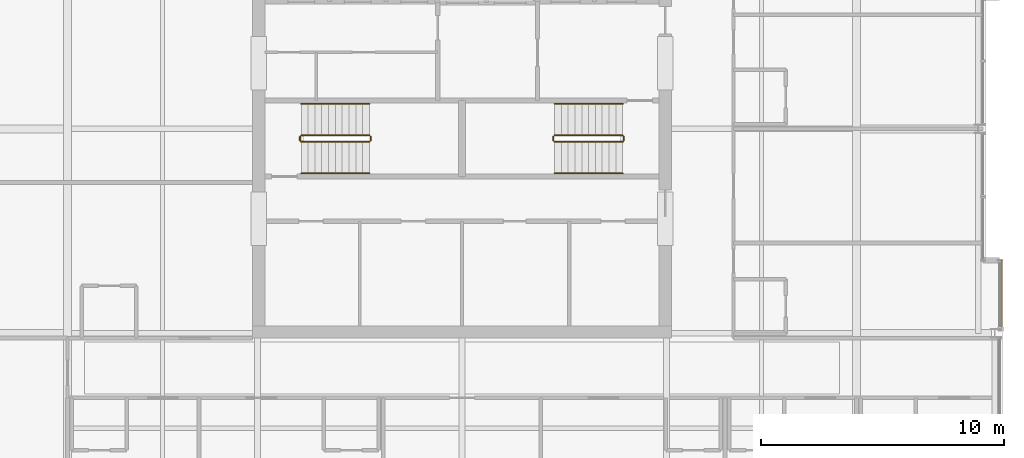
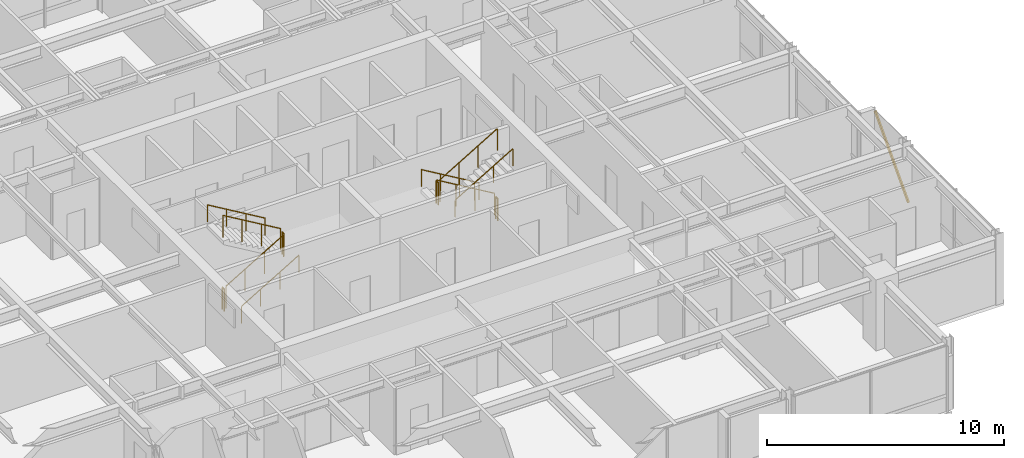
# One storey, part 32 of 33: 12 railings, 1 shading device.
"""IFC4 building model written with IfcOpenShell, lengths in metres."""

import ifcopenshell
import ifcopenshell.guid

model = None  # the IFC model being written
_history = None  # IfcOwnerHistory: only IFC2X3 demands one
_inside = {}  # id of a spatial element -> (the spatial element, [elements in it])
_under = {}  # id of a project, library or spatial element -> (it, [spatial elements below it])
_declared = {}  # id of a project -> (the project, [libraries it declares])
_typed = {}  # id of a type object -> (the type object, [elements of that type])
_made_of = {}  # id of a material, layer set ... -> (it, [elements and type objects made of it])


def new_model(schema):
    """Start an empty IFC model of exactly this schema.

    Asked for "IFC4X3", IfcOpenShell would pick the latest addendum, in which some entities
    have other attributes; the version numbers below select the first issue.
    IFC2X3 requires an IfcOwnerHistory on every rooted entity: one is made here for all.
    """
    global model, _history
    if schema == "IFC4X3":
        model = ifcopenshell.file(schema_version=(4, 3, 0, 0))
    else:
        model = ifcopenshell.file(schema=schema)
    _inside.clear()
    _under.clear()
    _declared.clear()
    _typed.clear()
    _made_of.clear()
    _history = None
    if model.schema == "IFC2X3":
        org = make("IfcOrganization", Name="unknown")
        user = make(
            "IfcPersonAndOrganization",
            ThePerson=make("IfcPerson", FamilyName="unknown"),
            TheOrganization=org,
        )
        app = make(
            "IfcApplication",
            ApplicationDeveloper=org,
            Version="unknown",
            ApplicationFullName="unknown",
            ApplicationIdentifier="unknown",
        )
        _history = make(
            "IfcOwnerHistory",
            OwningUser=user,
            OwningApplication=app,
            ChangeAction="ADDED",
            CreationDate=0,
        )
    return model


def make(cls, **values):
    """One entity of the class cls with the attributes given. An attribute that is None is left unset."""
    return model.create_entity(
        cls, **{name: value for name, value in values.items() if value is not None}
    )


def rooted(cls, **values):
    """An entity with a GlobalId (a new one), such as an element, a storey or a relation."""
    return make(cls, GlobalId=ifcopenshell.guid.new(), OwnerHistory=_history, **values)


def si_unit(unit_type, name, prefix=None):
    """IfcSIUnit, for example si_unit("LENGTHUNIT", "METRE", prefix="MILLI")."""
    return make("IfcSIUnit", UnitType=unit_type, Prefix=prefix, Name=name)


def assignment(units):
    """IfcUnitAssignment: the units of a project."""
    return None if units is None else make("IfcUnitAssignment", Units=units)


def point(xyz):
    """IfcCartesianPoint."""
    return None if xyz is None else make("IfcCartesianPoint", Coordinates=xyz)


def direction(xyz):
    """IfcDirection."""
    return None if xyz is None else make("IfcDirection", DirectionRatios=xyz)


def frame(location, z_axis=None, x_axis=None):
    """IfcAxis2Placement3D, a coordinate frame: its origin and axes. An axis left out is left unset."""
    return make(
        "IfcAxis2Placement3D",
        Location=point(location),
        Axis=direction(z_axis),
        RefDirection=direction(x_axis),
    )


def frame_2d(location, x_axis=None):
    """IfcAxis2Placement2D, a coordinate frame in the plane: its origin and x axis."""
    return make(
        "IfcAxis2Placement2D", Location=point(location), RefDirection=direction(x_axis)
    )


def origin():
    """The frame at (0, 0, 0) with its axes left unset."""
    return frame((0.0, 0.0, 0.0))


def origin_2d():
    """The frame at (0, 0) in the plane with its x axis left unset."""
    return frame_2d((0.0, 0.0))


def place(relative_to, where):
    """IfcLocalPlacement: puts the frame where relative to a parent placement (None: the world)."""
    return make(
        "IfcLocalPlacement", PlacementRelTo=relative_to, RelativePlacement=where
    )


def context(
    kind, dimensions, precision=None, world=None, true_north=None, identifier=None
):
    """IfcGeometricRepresentationContext, for example the 3D "Model" context."""
    return make(
        "IfcGeometricRepresentationContext",
        ContextIdentifier=identifier,
        ContextType=kind,
        CoordinateSpaceDimension=dimensions,
        Precision=precision,
        WorldCoordinateSystem=world,
        TrueNorth=true_north,
    )


def subcontext(parent, identifier, kind, view, scale=None):
    """IfcGeometricRepresentationSubContext, for example "Body" below "Model"."""
    return make(
        "IfcGeometricRepresentationSubContext",
        ContextIdentifier=identifier,
        ContextType=kind,
        ParentContext=parent,
        TargetScale=scale,
        TargetView=view,
    )


def project(units=None, contexts=None):
    """IfcProject with its units and contexts."""
    return rooted(
        "IfcProject",
        Name="project",
        RepresentationContexts=contexts,
        UnitsInContext=assignment(units),
    )


def spatial(cls, under=None, at=None, **own):
    """A site, building, storey or space (cls), placed at a placement, below another one or the project."""
    s = rooted(cls, ObjectPlacement=at, **own)
    if under is not None:
        _under.setdefault(under.id(), (under, []))[1].append(s)
    return s


def profile(cls, at=None, kind="AREA", **sizes):
    """A parametric profile (cls). Its sizes go by their IFC names, for example OverallWidth=200.0."""
    return make(cls, ProfileType=kind, Position=at, **sizes)


def hollow_rectangle(**sizes):
    """IfcRectangleHollowProfileDef."""
    return profile("IfcRectangleHollowProfileDef", **sizes)


def circle(**sizes):
    """IfcCircleProfileDef."""
    return profile("IfcCircleProfileDef", **sizes)


def extrude(swept, where, along, depth):
    """IfcExtrudedAreaSolid: the profile swept, set in the frame where, extruded along a direction by depth."""
    return make(
        "IfcExtrudedAreaSolid",
        SweptArea=swept,
        Position=where,
        ExtrudedDirection=direction(along),
        Depth=depth,
    )


def shape(context_of_items, identifier, shape_type, items):
    """IfcShapeRepresentation: the items that make up one representation, for example the "Body"."""
    return make(
        "IfcShapeRepresentation",
        ContextOfItems=context_of_items,
        RepresentationIdentifier=identifier,
        RepresentationType=shape_type,
        Items=items,
    )


def material(Name=None, Category=None):
    """IfcMaterial."""
    return make("IfcMaterial", Name=Name, Category=Category)


def material_profile(
    of_material, cross_section, Name=None, Category=None, Priority=None
):
    """IfcMaterialProfile: a cross section and its material."""
    return make(
        "IfcMaterialProfile",
        Name=Name,
        Material=of_material,
        Profile=cross_section,
        Priority=Priority,
        Category=Category,
    )


def profile_set(profiles, Name=None, composite=None):
    """IfcMaterialProfileSet."""
    return make(
        "IfcMaterialProfileSet",
        Name=Name,
        MaterialProfiles=profiles,
        CompositeProfile=composite,
    )


def made_of(thing, what):
    """Note that an element or type object is made of a material, layer set ...; save() writes the relation."""
    if what is not None:
        _made_of.setdefault(what.id(), (what, []))[1].append(thing)
    return thing


def type_object(cls, material=None, **own):
    """A type object (cls), such as IfcWallType, which elements share."""
    return made_of(rooted(cls, **own), material)


def element(
    cls,
    number,
    at=None,
    inside=None,
    cuts=None,
    type_object=None,
    material=None,
    context=None,
    identifier="Body",
    shape_type=None,
    held_by="IfcProductDefinitionShape",
    body=None,
    shapes=None,
    **own,
):
    """One element of the class cls, such as IfcWall. Its Tag is "e" and its number.

    at: its placement. inside: the storey or other place that contains it. cuts: it is an
    opening in that element (IfcRelVoidsElement). A single representation is given by context,
    identifier, shape_type and body (its items); several are given by shapes. held_by: the class
    of the entity that holds the representations. save() writes the other relations.
    """
    e = rooted(cls, Tag="e%d" % number, ObjectPlacement=at, **own)
    if body is not None:
        shapes = [shape(context, identifier, shape_type, body)]
    if shapes is not None:
        e.Representation = make(held_by, Representations=shapes)
    if inside is not None:
        _inside.setdefault(inside.id(), (inside, []))[1].append(e)
    if cuts is not None:
        rooted(
            "IfcRelVoidsElement", RelatingBuildingElement=cuts, RelatedOpeningElement=e
        )
    if type_object is not None:
        _typed.setdefault(type_object.id(), (type_object, []))[1].append(e)
    return made_of(e, material)


def aggregate(whole, parts):
    """IfcRelAggregates: a whole, such as a stair, and the parts it consists of."""
    return rooted("IfcRelAggregates", RelatingObject=whole, RelatedObjects=parts)


def save(model, path):
    """Write the relations noted so far, then the file.

    IfcRelAggregates (storeys below a building ...), IfcRelContainedInSpatialStructure (elements
    in a storey), IfcRelDefinesByType, IfcRelAssociatesMaterial and IfcRelDeclares: one each for
    every whole, place, type object, material and project.
    """
    for whole, parts in _under.values():
        aggregate(whole, parts)
    for where, things in _inside.values():
        rooted(
            "IfcRelContainedInSpatialStructure",
            RelatedElements=things,
            RelatingStructure=where,
        )
    for kind, things in _typed.values():
        rooted("IfcRelDefinesByType", RelatedObjects=things, RelatingType=kind)
    for what, things in _made_of.values():
        rooted("IfcRelAssociatesMaterial", RelatedObjects=things, RelatingMaterial=what)
    for by, libraries in _declared.values():
        rooted("IfcRelDeclares", RelatingContext=by, RelatedDefinitions=libraries)
    model.write(path)


model = new_model("IFC4")

# Units and contexts
model_context = context("Model", 3, precision=1e-05, world=origin(), true_north=direction((0.0, 1.0)))
body_context = subcontext(model_context, "Body", "Model", "MODEL_VIEW")
ifc_project = project(units=[si_unit("LENGTHUNIT", "METRE"), si_unit("AREAUNIT", "SQUARE_METRE"), si_unit("VOLUMEUNIT", "CUBIC_METRE"), si_unit("PLANEANGLEUNIT", "RADIAN"), si_unit("MASSUNIT", "GRAM", prefix="KILO")], contexts=[model_context])

# Site, building, storey
site_placement = place(None, origin())
site = spatial("IfcSite", under=ifc_project, at=site_placement, CompositionType="ELEMENT")
building_placement = place(site_placement, origin())
building = spatial("IfcBuilding", under=site, at=building_placement, Name="Drelvath Grand Hotel", CompositionType="ELEMENT")
storey_placement = place(building_placement, frame((0.0, 0.0, 268.64990234375)))
storey = spatial("IfcBuildingStorey", under=building, at=storey_placement, Name="L70", CompositionType="ELEMENT", Elevation=268.64990234375)

# Railings
ifc_material_1 = material(Name="Painted Steel S275", Category="steel")
railing_type_1 = type_object("IfcRailingType", Name="Core Stair Wall Handrail 900", PredefinedType="HANDRAIL", material=ifc_material_1)
railing_1_placement = place(storey_placement, frame((-6.60009765625, 25.169921875, 0.166015625)))
element("IfcRailing", 1, at=railing_1_placement, inside=storey, type_object=railing_type_1, Name="L70 ST-1 stair handrail 1", PredefinedType="HANDRAIL", context=body_context, shape_type="SweptSolid", body=[
    extrude(circle(Radius=0.02392578125, at=origin_2d()), frame((0.0, 0.0, 0.8759765625), z_axis=(0.860306154799, 0.0, 0.50977771628), x_axis=(0.0, 1.0, 0.0)), (0.0, 0.0, 1.0), 3.254638671875),
    extrude(circle(Radius=0.02099609375, at=origin_2d()), origin(), (0.0, 0.0, 1.0), 0.851806640625),
    extrude(circle(Radius=0.02099609375, at=origin_2d()), frame((0.933349609375, 0.0, 0.552978515625)), (0.0, 0.0, 1.0), 0.851806640625),
    extrude(circle(Radius=0.02099609375, at=origin_2d()), frame((1.86669921875, 0.0, 1.106201171875)), (0.0, 0.0, 1.0), 0.851806640625),
    extrude(circle(Radius=0.02099609375, at=origin_2d()), frame((2.800048828125, 0.0, 1.6591796875)), (0.0, 0.0, 1.0), 0.851806640625),
])
for number, where, name in (
    (2, (-3.800048828125, 28.030029296875, 1.990966796875), "L70 ST-1 stair handrail 2"),
    (3, (6.60009765625, 28.030029296875, 0.166015625), "L70 ST-2 stair handrail 1"),
):
    element("IfcRailing", number, at=place(storey_placement, frame(where)), inside=storey, type_object=railing_type_1, Name=name, PredefinedType="HANDRAIL", context=body_context, shape_type="SweptSolid", body=[
        extrude(circle(Radius=0.02392578125, at=origin_2d()), frame((0.0, 0.0, 0.8759765625), z_axis=(-0.860306154799, 0.0, 0.50977771628), x_axis=(0.0, -1.0, 0.0)), (0.0, 0.0, 1.0), 3.254638671875),
        extrude(circle(Radius=0.02099609375, at=origin_2d()), origin(), (0.0, 0.0, 1.0), 0.851806640625),
        extrude(circle(Radius=0.02099609375, at=origin_2d()), frame((-0.933349609375, 0.0, 0.552978515625)), (0.0, 0.0, 1.0), 0.851806640625),
        extrude(circle(Radius=0.02099609375, at=origin_2d()), frame((-1.86669921875, 0.0, 1.106201171875)), (0.0, 0.0, 1.0), 0.851806640625),
        extrude(circle(Radius=0.02099609375, at=origin_2d()), frame((-2.800048828125, 0.0, 1.6591796875)), (0.0, 0.0, 1.0), 0.851806640625),
    ])
railing_2_placement = place(storey_placement, frame((3.800048828125, 25.169921875, 1.990966796875)))
element("IfcRailing", 4, at=railing_2_placement, inside=storey, type_object=railing_type_1, Name="L70 ST-2 stair handrail 2", PredefinedType="HANDRAIL", context=body_context, shape_type="SweptSolid", body=[
    extrude(circle(Radius=0.02392578125, at=origin_2d()), frame((0.0, 0.0, 0.8759765625), z_axis=(0.860306154799, 0.0, 0.50977771628), x_axis=(0.0, 1.0, 0.0)), (0.0, 0.0, 1.0), 3.254638671875),
    extrude(circle(Radius=0.02099609375, at=origin_2d()), origin(), (0.0, 0.0, 1.0), 0.851806640625),
    extrude(circle(Radius=0.02099609375, at=origin_2d()), frame((0.933349609375, 0.0, 0.552978515625)), (0.0, 0.0, 1.0), 0.851806640625),
    extrude(circle(Radius=0.02099609375, at=origin_2d()), frame((1.86669921875, 0.0, 1.106201171875)), (0.0, 0.0, 1.0), 0.851806640625),
    extrude(circle(Radius=0.02099609375, at=origin_2d()), frame((2.800048828125, 0.0, 1.6591796875)), (0.0, 0.0, 1.0), 0.851806640625),
])
railing_type_2 = type_object("IfcRailingType", Name="Core Stair Well Guardrail 1100", PredefinedType="GUARDRAIL", material=ifc_material_1)
railing_3_placement = place(storey_placement, frame((-6.60009765625, 26.469970703125, 0.166015625)))
element("IfcRailing", 5, at=railing_3_placement, inside=storey, type_object=railing_type_2, Name="L70 ST-1 stair guard 1", PredefinedType="GUARDRAIL", context=body_context, shape_type="SweptSolid", body=[
    extrude(circle(Radius=0.02392578125, at=origin_2d()), frame((0.0, 0.0, 1.1259765625), z_axis=(0.860306154799, 0.0, 0.50977771628), x_axis=(0.0, 1.0, 0.0)), (0.0, 0.0, 1.0), 3.254638671875),
    extrude(circle(Radius=0.02099609375, at=origin_2d()), origin(), (0.0, 0.0, 1.0), 1.101806640625),
    extrude(circle(Radius=0.02099609375, at=origin_2d()), frame((0.933349609375, 0.0, 0.552978515625)), (0.0, 0.0, 1.0), 1.101806640625),
    extrude(circle(Radius=0.02099609375, at=origin_2d()), frame((1.86669921875, 0.0, 1.106201171875)), (0.0, 0.0, 1.0), 1.101806640625),
    extrude(circle(Radius=0.02099609375, at=origin_2d()), frame((2.800048828125, 0.0, 1.6591796875)), (0.0, 0.0, 1.0), 1.101806640625),
])
railing_4_placement = place(storey_placement, frame((-3.75, 26.52001953125, 1.8251953125)))
element("IfcRailing", 6, at=railing_4_placement, inside=storey, type_object=railing_type_2, Name="L70 ST-1 stair guard 2", PredefinedType="GUARDRAIL", context=body_context, shape_type="SweptSolid", body=[
    extrude(circle(Radius=0.02392578125, at=origin_2d()), frame((0.0, 0.0, 1.1259765625), z_axis=(0.0, 1.0, 0.0), x_axis=(-1.0, 0.0, 0.0)), (0.0, 0.0, 1.0), 0.159912109375),
    extrude(circle(Radius=0.02099609375, at=origin_2d()), origin(), (0.0, 0.0, 1.0), 1.101806640625),
    extrude(circle(Radius=0.02099609375, at=origin_2d()), frame((0.0, 0.159912109375, 0.0)), (0.0, 0.0, 1.0), 1.101806640625),
])
railing_5_placement = place(storey_placement, frame((-3.800048828125, 26.72998046875, 1.990966796875)))
element("IfcRailing", 7, at=railing_5_placement, inside=storey, type_object=railing_type_2, Name="L70 ST-1 stair guard 3", PredefinedType="GUARDRAIL", context=body_context, shape_type="SweptSolid", body=[
    extrude(circle(Radius=0.02392578125, at=origin_2d()), frame((0.0, 0.0, 1.1259765625), z_axis=(-0.860306154799, 0.0, 0.50977771628), x_axis=(0.0, -1.0, 0.0)), (0.0, 0.0, 1.0), 3.254638671875),
    extrude(circle(Radius=0.02099609375, at=origin_2d()), origin(), (0.0, 0.0, 1.0), 1.101806640625),
    extrude(circle(Radius=0.02099609375, at=origin_2d()), frame((-0.933349609375, 0.0, 0.552978515625)), (0.0, 0.0, 1.0), 1.101806640625),
    extrude(circle(Radius=0.02099609375, at=origin_2d()), frame((-1.86669921875, 0.0, 1.106201171875)), (0.0, 0.0, 1.0), 1.101806640625),
    extrude(circle(Radius=0.02099609375, at=origin_2d()), frame((-2.800048828125, 0.0, 1.6591796875)), (0.0, 0.0, 1.0), 1.101806640625),
])
railing_6_placement = place(storey_placement, frame((-6.64990234375, 26.52001953125, 0.0)))
element("IfcRailing", 8, at=railing_6_placement, inside=storey, type_object=railing_type_2, Name="L70 ST-1 stair guard 4", PredefinedType="GUARDRAIL", context=body_context, shape_type="SweptSolid", body=[
    extrude(circle(Radius=0.02392578125, at=origin_2d()), frame((0.0, 0.0, 1.1259765625), z_axis=(0.0, 1.0, 0.0), x_axis=(-1.0, 0.0, 0.0)), (0.0, 0.0, 1.0), 0.159912109375),
    extrude(circle(Radius=0.02099609375, at=origin_2d()), origin(), (0.0, 0.0, 1.0), 1.101806640625),
    extrude(circle(Radius=0.02099609375, at=origin_2d()), frame((0.0, 0.159912109375, 0.0)), (0.0, 0.0, 1.0), 1.101806640625),
])
railing_7_placement = place(storey_placement, frame((6.60009765625, 26.72998046875, 0.166015625)))
element("IfcRailing", 9, at=railing_7_placement, inside=storey, type_object=railing_type_2, Name="L70 ST-2 stair guard 1", PredefinedType="GUARDRAIL", context=body_context, shape_type="SweptSolid", body=[
    extrude(circle(Radius=0.02392578125, at=origin_2d()), frame((0.0, 0.0, 1.1259765625), z_axis=(-0.860306154799, 0.0, 0.50977771628), x_axis=(0.0, -1.0, 0.0)), (0.0, 0.0, 1.0), 3.254638671875),
    extrude(circle(Radius=0.02099609375, at=origin_2d()), origin(), (0.0, 0.0, 1.0), 1.101806640625),
    extrude(circle(Radius=0.02099609375, at=origin_2d()), frame((-0.933349609375, 0.0, 0.552978515625)), (0.0, 0.0, 1.0), 1.101806640625),
    extrude(circle(Radius=0.02099609375, at=origin_2d()), frame((-1.86669921875, 0.0, 1.106201171875)), (0.0, 0.0, 1.0), 1.101806640625),
    extrude(circle(Radius=0.02099609375, at=origin_2d()), frame((-2.800048828125, 0.0, 1.6591796875)), (0.0, 0.0, 1.0), 1.101806640625),
])
railing_8_placement = place(storey_placement, frame((3.75, 26.679931640625, 1.8251953125)))
element("IfcRailing", 10, at=railing_8_placement, inside=storey, type_object=railing_type_2, Name="L70 ST-2 stair guard 2", PredefinedType="GUARDRAIL", context=body_context, shape_type="SweptSolid", body=[
    extrude(circle(Radius=0.02392578125, at=origin_2d()), frame((0.0, 0.0, 1.1259765625), z_axis=(0.0, -1.0, 0.0), x_axis=(1.0, 0.0, 0.0)), (0.0, 0.0, 1.0), 0.159912109375),
    extrude(circle(Radius=0.02099609375, at=origin_2d()), origin(), (0.0, 0.0, 1.0), 1.101806640625),
    extrude(circle(Radius=0.02099609375, at=origin_2d()), frame((0.0, -0.159912109375, 0.0)), (0.0, 0.0, 1.0), 1.101806640625),
])
railing_9_placement = place(storey_placement, frame((3.800048828125, 26.469970703125, 1.990966796875)))
element("IfcRailing", 11, at=railing_9_placement, inside=storey, type_object=railing_type_2, Name="L70 ST-2 stair guard 3", PredefinedType="GUARDRAIL", context=body_context, shape_type="SweptSolid", body=[
    extrude(circle(Radius=0.02392578125, at=origin_2d()), frame((0.0, 0.0, 1.1259765625), z_axis=(0.860306154799, 0.0, 0.50977771628), x_axis=(0.0, 1.0, 0.0)), (0.0, 0.0, 1.0), 3.254638671875),
    extrude(circle(Radius=0.02099609375, at=origin_2d()), origin(), (0.0, 0.0, 1.0), 1.101806640625),
    extrude(circle(Radius=0.02099609375, at=origin_2d()), frame((0.933349609375, 0.0, 0.552978515625)), (0.0, 0.0, 1.0), 1.101806640625),
    extrude(circle(Radius=0.02099609375, at=origin_2d()), frame((1.86669921875, 0.0, 1.106201171875)), (0.0, 0.0, 1.0), 1.101806640625),
    extrude(circle(Radius=0.02099609375, at=origin_2d()), frame((2.800048828125, 0.0, 1.6591796875)), (0.0, 0.0, 1.0), 1.101806640625),
])
railing_10_placement = place(storey_placement, frame((6.64990234375, 26.679931640625, 0.0)))
element("IfcRailing", 12, at=railing_10_placement, inside=storey, type_object=railing_type_2, Name="L70 ST-2 stair guard 4", PredefinedType="GUARDRAIL", context=body_context, shape_type="SweptSolid", body=[
    extrude(circle(Radius=0.02392578125, at=origin_2d()), frame((0.0, 0.0, 1.1259765625), z_axis=(0.0, -1.0, 0.0), x_axis=(1.0, 0.0, 0.0)), (0.0, 0.0, 1.0), 0.159912109375),
    extrude(circle(Radius=0.02099609375, at=origin_2d()), origin(), (0.0, 0.0, 1.0), 1.101806640625),
    extrude(circle(Radius=0.02099609375, at=origin_2d()), frame((0.0, -0.159912109375, 0.0)), (0.0, 0.0, 1.0), 1.101806640625),
])

# Shading device
ifc_material_2 = material(Name="Platinum-Mist Anodised Aluminium", Category="aluminium")
ifc_material_profile = material_profile(ifc_material_2, hollow_rectangle(XDim=0.06494140625, YDim=0.159912109375, WallThickness=0.00390625, at=origin_2d()), Name="HSS160X65X4")
ifc_profile_set = profile_set([ifc_material_profile], Name="Platinum-Mist Anodised Aluminium")
shading_device_type = type_object("IfcShadingDeviceType", Name="Diagonal Solar Fin Platinum Anodised HSS160X65X4", PredefinedType="USERDEFINED", material=ifc_profile_set)
shading_device_placement = place(storey_placement, frame((22.159912109375, 18.7783203125, 0.18017578125), z_axis=(0.0, 0.681511100408, 0.731807775321), x_axis=(-1.0, 0.0, 0.0)))
element("IfcShadingDevice", 13, at=shading_device_placement, inside=storey, type_object=shading_device_type, Name="L70 Diagonal Anodised Fin CW05-L70-ES2", ObjectType="FIN", PredefinedType="USERDEFINED", context=body_context, shape_type="SweptSolid", body=[
    extrude(hollow_rectangle(XDim=0.06494140625, YDim=0.159912109375, WallThickness=0.00390625, at=origin_2d()), origin(), (0.0, 0.0, 1.0), 4.140380859375),
])

save(model, "model.ifc")
